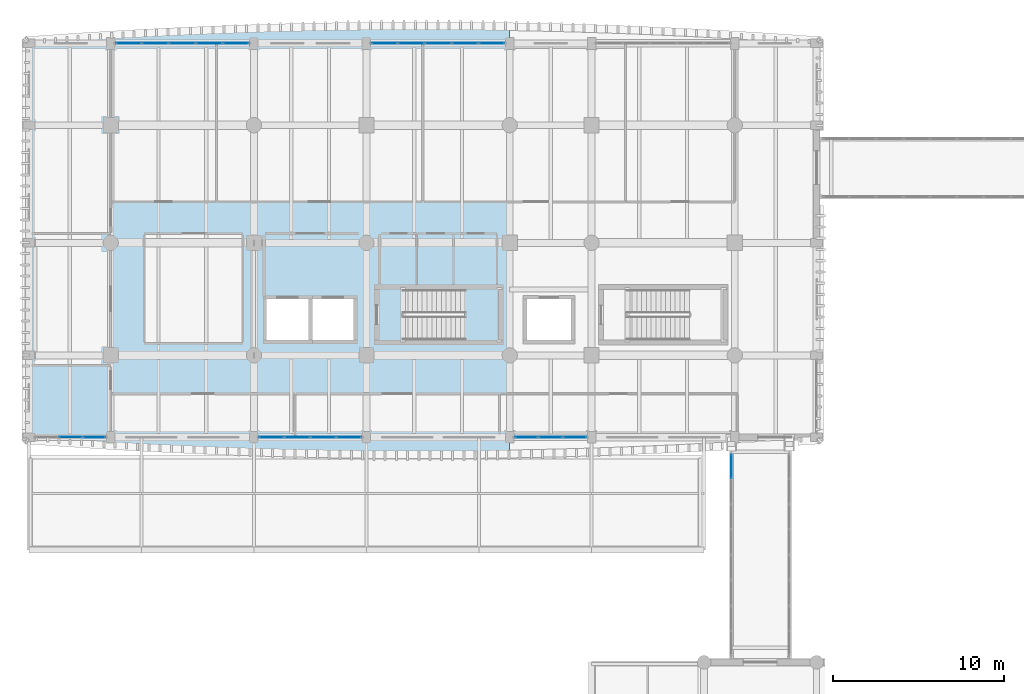
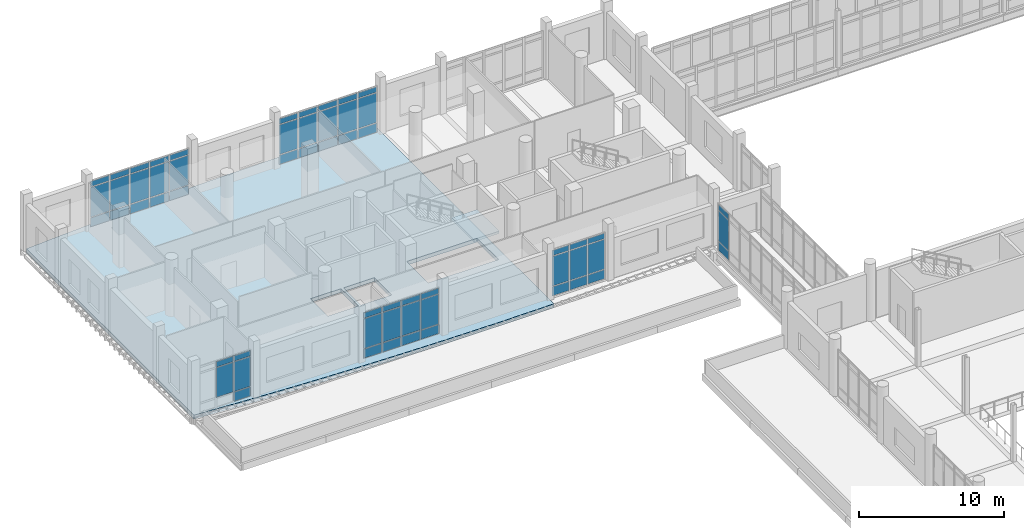
# One storey, part 67 of 125: 59 plates, 2 slabs, 7 elements without a shape of their own.
"""IFC4 building model written with IfcOpenShell, lengths in metres."""

from ifc_helpers import new_model, si_unit, direction, frame, origin, origin_2d, place, context, subcontext, project, spatial, polyline, rectangle, outline, extrude, material, layer, layer_set, type_object, element, aggregate, save


model = new_model("IFC4")

# Units and contexts
model_context = context("Model", 3, precision=1e-05, world=origin(), true_north=direction((0.0, 1.0)))
body_context = subcontext(model_context, "Body", "Model", "MODEL_VIEW")
ifc_project = project(units=[si_unit("LENGTHUNIT", "METRE"), si_unit("AREAUNIT", "SQUARE_METRE"), si_unit("VOLUMEUNIT", "CUBIC_METRE"), si_unit("PLANEANGLEUNIT", "RADIAN"), si_unit("MASSUNIT", "GRAM", prefix="KILO")], contexts=[model_context])

# Site, building, storey
site_placement = place(None, origin())
site = spatial("IfcSite", under=ifc_project, at=site_placement, CompositionType="ELEMENT")
building_placement = place(site_placement, origin())
building = spatial("IfcBuilding", under=site, at=building_placement, Name="Dornvale Research Institute", CompositionType="ELEMENT")
storey_placement = place(building_placement, frame((0.0, 0.0, 5.39990234375)))
storey = spatial("IfcBuildingStorey", under=building, at=storey_placement, Name="L01", CompositionType="ELEMENT", Elevation=5.39990234375)

# Curtain wall, plates
ifc_material_1 = material(Name="Low-E Argon Double Insulating Glazing Unit", Category="glass")
curtain_wall_type_1 = type_object("IfcCurtainWallType", Name="UnitisedCurtainWall_V5_7900x3950", PredefinedType="USERDEFINED", material=ifc_material_1)
curtain_wall_1_placement = place(storey_placement, origin())
curtain_wall_1 = element("IfcCurtainWall", 1, at=curtain_wall_1_placement, inside=storey, type_object=curtain_wall_type_1, Name="L01 V5 unitised curtain wall CW-24 #133", ObjectType="UNITISED CURTAIN WALL", PredefinedType="USERDEFINED")
ifc_material_2 = material(Name="Insulated Ceramic-Frit Spandrel Glass Panel", Category="glass")
ifc_layer_1 = layer(ifc_material_2, 0.0419921875)
ifc_layer_set_1 = layer_set([ifc_layer_1], Name="Insulated Ceramic-Frit Spandrel Glass Panel")
plate_type_1 = type_object("IfcPlateType", Name="CurtainPanel_Spandrel_42", PredefinedType="CURTAIN_PANEL", material=ifc_layer_set_1)
plate_1_placement = place(storey_placement, frame((5.856201171875, 122.10009765625, 0.065185546875), z_axis=(0.0, 0.0, 1.0), x_axis=(1.0, 0.0, 0.0)))
plate_1 = element("IfcPlate", 2, at=plate_1_placement, type_object=plate_type_1, Name="CW-24 panel 1.1", PredefinedType="CURTAIN_PANEL", context=body_context, shape_type="SweptSolid", body=[
    extrude(rectangle(XDim=1.482421875, YDim=0.0419921875, at=origin_2d()), origin(), (0.0, 0.0, 1.0), 0.75244140625),
])
plate_2_placement = place(storey_placement, frame((7.419921875, 122.10009765625, 0.065185546875), z_axis=(0.0, 0.0, 1.0), x_axis=(1.0, 0.0, 0.0)))
plate_2 = element("IfcPlate", 3, at=plate_2_placement, type_object=plate_type_1, Name="CW-24 panel 2.1", PredefinedType="CURTAIN_PANEL", context=body_context, shape_type="SweptSolid", body=[
    extrude(rectangle(XDim=1.514892578125, YDim=0.0419921875, at=origin_2d()), origin(), (0.0, 0.0, 1.0), 0.75244140625),
])
plate_3_placement = place(storey_placement, frame((9.0, 122.10009765625, 0.065185546875), z_axis=(0.0, 0.0, 1.0), x_axis=(1.0, 0.0, 0.0)))
plate_3 = element("IfcPlate", 4, at=plate_3_placement, type_object=plate_type_1, Name="CW-24 panel 3.1", PredefinedType="CURTAIN_PANEL", context=body_context, shape_type="SweptSolid", body=[
    extrude(rectangle(XDim=1.514892578125, YDim=0.0419921875, at=origin_2d()), origin(), (0.0, 0.0, 1.0), 0.75244140625),
])
plate_4_placement = place(storey_placement, frame((10.580078125, 122.10009765625, 0.065185546875), z_axis=(0.0, 0.0, 1.0), x_axis=(1.0, 0.0, 0.0)))
plate_4 = element("IfcPlate", 5, at=plate_4_placement, type_object=plate_type_1, Name="CW-24 panel 4.1", PredefinedType="CURTAIN_PANEL", context=body_context, shape_type="SweptSolid", body=[
    extrude(rectangle(XDim=1.514892578125, YDim=0.0419921875, at=origin_2d()), origin(), (0.0, 0.0, 1.0), 0.75244140625),
])
plate_5_placement = place(storey_placement, frame((12.143798828125, 122.10009765625, 0.065185546875), z_axis=(0.0, 0.0, 1.0), x_axis=(1.0, 0.0, 0.0)))
plate_5 = element("IfcPlate", 6, at=plate_5_placement, type_object=plate_type_1, Name="CW-24 panel 5.1", PredefinedType="CURTAIN_PANEL", context=body_context, shape_type="SweptSolid", body=[
    extrude(rectangle(XDim=1.482421875, YDim=0.0419921875, at=origin_2d()), origin(), (0.0, 0.0, 1.0), 0.75244140625),
])

curtain_wall_2_placement = place(storey_placement, origin())
curtain_wall_2 = element("IfcCurtainWall", 7, at=curtain_wall_2_placement, inside=storey, type_object=curtain_wall_type_1, Name="L01 V5 unitised curtain wall CW-24 #134", ObjectType="UNITISED CURTAIN WALL", PredefinedType="USERDEFINED")
plate_6_placement = place(storey_placement, frame((20.856201171875, 122.10009765625, 0.065185546875), z_axis=(0.0, 0.0, 1.0), x_axis=(1.0, 0.0, 0.0)))
plate_6 = element("IfcPlate", 8, at=plate_6_placement, type_object=plate_type_1, Name="CW-24 panel 1.1", PredefinedType="CURTAIN_PANEL", context=body_context, shape_type="SweptSolid", body=[
    extrude(rectangle(XDim=1.482421875, YDim=0.0419921875, at=origin_2d()), origin(), (0.0, 0.0, 1.0), 0.75244140625),
])
plate_7_placement = place(storey_placement, frame((22.419921875, 122.10009765625, 0.065185546875), z_axis=(0.0, 0.0, 1.0), x_axis=(1.0, 0.0, 0.0)))
plate_7 = element("IfcPlate", 9, at=plate_7_placement, type_object=plate_type_1, Name="CW-24 panel 2.1", PredefinedType="CURTAIN_PANEL", context=body_context, shape_type="SweptSolid", body=[
    extrude(rectangle(XDim=1.514892578125, YDim=0.0419921875, at=origin_2d()), origin(), (0.0, 0.0, 1.0), 0.75244140625),
])
plate_8_placement = place(storey_placement, frame((24.0, 122.10009765625, 0.065185546875), z_axis=(0.0, 0.0, 1.0), x_axis=(1.0, 0.0, 0.0)))
plate_8 = element("IfcPlate", 10, at=plate_8_placement, type_object=plate_type_1, Name="CW-24 panel 3.1", PredefinedType="CURTAIN_PANEL", context=body_context, shape_type="SweptSolid", body=[
    extrude(rectangle(XDim=1.514892578125, YDim=0.0419921875, at=origin_2d()), origin(), (0.0, 0.0, 1.0), 0.75244140625),
])
plate_9_placement = place(storey_placement, frame((25.580078125, 122.10009765625, 0.065185546875), z_axis=(0.0, 0.0, 1.0), x_axis=(1.0, 0.0, 0.0)))
plate_9 = element("IfcPlate", 11, at=plate_9_placement, type_object=plate_type_1, Name="CW-24 panel 4.1", PredefinedType="CURTAIN_PANEL", context=body_context, shape_type="SweptSolid", body=[
    extrude(rectangle(XDim=1.514892578125, YDim=0.0419921875, at=origin_2d()), origin(), (0.0, 0.0, 1.0), 0.75244140625),
])
plate_10_placement = place(storey_placement, frame((27.143798828125, 122.10009765625, 0.065185546875), z_axis=(0.0, 0.0, 1.0), x_axis=(1.0, 0.0, 0.0)))
plate_10 = element("IfcPlate", 12, at=plate_10_placement, type_object=plate_type_1, Name="CW-24 panel 5.1", PredefinedType="CURTAIN_PANEL", context=body_context, shape_type="SweptSolid", body=[
    extrude(rectangle(XDim=1.482421875, YDim=0.0419921875, at=origin_2d()), origin(), (0.0, 0.0, 1.0), 0.75244140625),
])

ifc_material_3 = material(Name="Low-E Argon Double Insulating Glazing Unit", Category="glass")
curtain_wall_type_2 = type_object("IfcCurtainWallType", Name="UnitisedCurtainWall_V5_4300x3950", PredefinedType="USERDEFINED", material=ifc_material_3)
curtain_wall_3_placement = place(storey_placement, origin())
curtain_wall_3 = element("IfcCurtainWall", 13, at=curtain_wall_3_placement, inside=storey, type_object=curtain_wall_type_2, Name="L01 V5 unitised curtain wall CW-25 #137", ObjectType="UNITISED CURTAIN WALL", PredefinedType="USERDEFINED")
plate_11_placement = place(storey_placement, frame((32.01708984375, 99.0, 0.065185546875), z_axis=(0.0, 0.0, 1.0), x_axis=(-1.0, 0.0, 0.0)))
plate_11 = element("IfcPlate", 14, at=plate_11_placement, type_object=plate_type_1, Name="CW-25 panel 1.1", PredefinedType="CURTAIN_PANEL", context=body_context, shape_type="SweptSolid", body=[
    extrude(rectangle(XDim=1.3359375, YDim=0.0419921875, at=origin_2d()), origin(), (0.0, 0.0, 1.0), 0.75244140625),
])
plate_12_placement = place(storey_placement, frame((30.60009765625, 99.0, 0.065185546875), z_axis=(0.0, 0.0, 1.0), x_axis=(-1.0, 0.0, 0.0)))
plate_12 = element("IfcPlate", 15, at=plate_12_placement, type_object=plate_type_1, Name="CW-25 panel 2.1", PredefinedType="CURTAIN_PANEL", context=body_context, shape_type="SweptSolid", body=[
    extrude(rectangle(XDim=1.368408203125, YDim=0.0419921875, at=origin_2d()), origin(), (0.0, 0.0, 1.0), 0.75244140625),
])
plate_13_placement = place(storey_placement, frame((29.182861328125, 99.0, 0.065185546875), z_axis=(0.0, 0.0, 1.0), x_axis=(-1.0, 0.0, 0.0)))
plate_13 = element("IfcPlate", 16, at=plate_13_placement, type_object=plate_type_1, Name="CW-25 panel 3.1", PredefinedType="CURTAIN_PANEL", context=body_context, shape_type="SweptSolid", body=[
    extrude(rectangle(XDim=1.3359375, YDim=0.0419921875, at=origin_2d()), origin(), (0.0, 0.0, 1.0), 0.75244140625),
])

ifc_material_4 = material(Name="Low-E Argon Double Insulating Glazing Unit", Category="glass")
curtain_wall_type_3 = type_object("IfcCurtainWallType", Name="UnitisedCurtainWall_V5_6100x3950", PredefinedType="USERDEFINED", material=ifc_material_4)
curtain_wall_4_placement = place(storey_placement, origin())
curtain_wall_4 = element("IfcCurtainWall", 17, at=curtain_wall_4_placement, inside=storey, type_object=curtain_wall_type_3, Name="L01 V5 unitised curtain wall CW-26 #138", ObjectType="UNITISED CURTAIN WALL", PredefinedType="USERDEFINED")
plate_14_placement = place(storey_placement, frame((18.771240234375, 99.0, 0.065185546875), z_axis=(0.0, 0.0, 1.0), x_axis=(-1.0, 0.0, 0.0)))
plate_14 = element("IfcPlate", 18, at=plate_14_placement, type_object=plate_type_1, Name="CW-26 panel 1.1", PredefinedType="CURTAIN_PANEL", context=body_context, shape_type="SweptSolid", body=[
    extrude(rectangle(XDim=1.427490234375, YDim=0.0419921875, at=origin_2d()), origin(), (0.0, 0.0, 1.0), 0.75244140625),
])
plate_15_placement = place(storey_placement, frame((17.262451171875, 99.0, 0.065185546875), z_axis=(0.0, 0.0, 1.0), x_axis=(-1.0, 0.0, 0.0)))
plate_15 = element("IfcPlate", 19, at=plate_15_placement, type_object=plate_type_1, Name="CW-26 panel 2.1", PredefinedType="CURTAIN_PANEL", context=body_context, shape_type="SweptSolid", body=[
    extrude(rectangle(XDim=1.4599609375, YDim=0.0419921875, at=origin_2d()), origin(), (0.0, 0.0, 1.0), 0.75244140625),
])
plate_16_placement = place(storey_placement, frame((15.737548828125, 99.0, 0.065185546875), z_axis=(0.0, 0.0, 1.0), x_axis=(-1.0, 0.0, 0.0)))
plate_16 = element("IfcPlate", 20, at=plate_16_placement, type_object=plate_type_1, Name="CW-26 panel 3.1", PredefinedType="CURTAIN_PANEL", context=body_context, shape_type="SweptSolid", body=[
    extrude(rectangle(XDim=1.4599609375, YDim=0.0419921875, at=origin_2d()), origin(), (0.0, 0.0, 1.0), 0.75244140625),
])
plate_17_placement = place(storey_placement, frame((14.228759765625, 99.0, 0.065185546875), z_axis=(0.0, 0.0, 1.0), x_axis=(-1.0, 0.0, 0.0)))
plate_17 = element("IfcPlate", 21, at=plate_17_placement, type_object=plate_type_1, Name="CW-26 panel 4.1", PredefinedType="CURTAIN_PANEL", context=body_context, shape_type="SweptSolid", body=[
    extrude(rectangle(XDim=1.427490234375, YDim=0.0419921875, at=origin_2d()), origin(), (0.0, 0.0, 1.0), 0.75244140625),
])

# Curtain wall, plate
ifc_material_5 = material(Name="Low-E Argon Double Insulating Glazing Unit", Category="glass")
curtain_wall_type_4 = type_object("IfcCurtainWallType", Name="UnitisedCurtainWall_V5_4200x3950", PredefinedType="USERDEFINED", material=ifc_material_5)
curtain_wall_5_placement = place(storey_placement, origin())
curtain_wall_5 = element("IfcCurtainWall", 22, at=curtain_wall_5_placement, inside=storey, type_object=curtain_wall_type_4, Name="L01 V5 unitised curtain wall CW-27 #139", ObjectType="UNITISED CURTAIN WALL", PredefinedType="USERDEFINED")
plate_18_placement = place(storey_placement, frame((3.833740234375, 99.0, 0.065185546875), z_axis=(0.0, 0.0, 1.0), x_axis=(-1.0, 0.0, 0.0)))
plate_18 = element("IfcPlate", 23, at=plate_18_placement, type_object=plate_type_1, Name="CW-27 panel 1.1", PredefinedType="CURTAIN_PANEL", context=body_context, shape_type="SweptSolid", body=[
    extrude(rectangle(XDim=1.302490234375, YDim=0.0419921875, at=origin_2d()), origin(), (0.0, 0.0, 1.0), 0.75244140625),
])

ifc_material_6 = material(Name="Low-E Argon Double Insulating Glazing Unit", Category="glass")
curtain_wall_type_5 = type_object("IfcCurtainWallType", Name="UnitisedCurtainWall_V2_11900x4000", PredefinedType="USERDEFINED", material=ifc_material_6)
curtain_wall_6_placement = place(storey_placement, origin())
curtain_wall_6 = element("IfcCurtainWall", 24, at=curtain_wall_6_placement, inside=storey, type_object=curtain_wall_type_5, Name="L01 V2 unitised curtain wall CW-40 #207", ObjectType="UNITISED CURTAIN WALL", PredefinedType="USERDEFINED")
plate_19_placement = place(storey_placement, frame((41.199951171875, 97.2900390625, 0.065185546875), z_axis=(0.0, 0.0, 1.0), x_axis=(0.0, 1.0, 0.0)))
plate_19 = element("IfcPlate", 25, at=plate_19_placement, type_object=plate_type_1, Name="CW-40 panel 8.1", PredefinedType="CURTAIN_PANEL", context=body_context, shape_type="SweptSolid", body=[
    extrude(rectangle(XDim=1.389892578125, YDim=0.0419921875, at=origin_2d()), origin(), (0.0, 0.0, 1.0), 0.75244140625),
])

# Plate
ifc_material_7 = material(Name="Low-E Argon Double Insulating Glazing Unit", Category="glass")
ifc_layer_2 = layer(ifc_material_7, 0.028076171875)
ifc_layer_set_2 = layer_set([ifc_layer_2], Name="Low-E Argon Double Insulating Glazing Unit")
plate_type_2 = type_object("IfcPlateType", Name="CurtainPanel_Vision_28", PredefinedType="CURTAIN_PANEL", material=ifc_layer_set_2)
plate_20_placement = place(storey_placement, frame((5.856201171875, 122.10009765625, 0.88232421875), z_axis=(0.0, 0.0, 1.0), x_axis=(1.0, 0.0, 0.0)))
plate_20 = element("IfcPlate", 26, at=plate_20_placement, type_object=plate_type_2, Name="CW-24 panel 1.2", PredefinedType="CURTAIN_PANEL", context=body_context, shape_type="SweptSolid", body=[
    extrude(rectangle(XDim=1.482421875, YDim=0.028076171875, at=origin_2d()), origin(), (0.0, 0.0, 1.0), 2.485107421875),
])

plate_21_placement = place(storey_placement, frame((5.856201171875, 122.10009765625, 3.4326171875), z_axis=(0.0, 0.0, 1.0), x_axis=(1.0, 0.0, 0.0)))
plate_21 = element("IfcPlate", 27, at=plate_21_placement, type_object=plate_type_2, Name="CW-24 panel 1.3", PredefinedType="CURTAIN_PANEL", context=body_context, shape_type="SweptSolid", body=[
    extrude(rectangle(XDim=1.482421875, YDim=0.028076171875, at=origin_2d()), origin(), (0.0, 0.0, 1.0), 0.452392578125),
])

plate_22_placement = place(storey_placement, frame((7.419921875, 122.10009765625, 0.88232421875), z_axis=(0.0, 0.0, 1.0), x_axis=(1.0, 0.0, 0.0)))
plate_22 = element("IfcPlate", 28, at=plate_22_placement, type_object=plate_type_2, Name="CW-24 panel 2.2", PredefinedType="CURTAIN_PANEL", context=body_context, shape_type="SweptSolid", body=[
    extrude(rectangle(XDim=1.514892578125, YDim=0.028076171875, at=origin_2d()), origin(), (0.0, 0.0, 1.0), 2.485107421875),
])

plate_23_placement = place(storey_placement, frame((7.419921875, 122.10009765625, 3.4326171875), z_axis=(0.0, 0.0, 1.0), x_axis=(1.0, 0.0, 0.0)))
plate_23 = element("IfcPlate", 29, at=plate_23_placement, type_object=plate_type_2, Name="CW-24 panel 2.3", PredefinedType="CURTAIN_PANEL", context=body_context, shape_type="SweptSolid", body=[
    extrude(rectangle(XDim=1.514892578125, YDim=0.028076171875, at=origin_2d()), origin(), (0.0, 0.0, 1.0), 0.452392578125),
])

plate_24_placement = place(storey_placement, frame((9.0, 122.10009765625, 0.88232421875), z_axis=(0.0, 0.0, 1.0), x_axis=(1.0, 0.0, 0.0)))
plate_24 = element("IfcPlate", 30, at=plate_24_placement, type_object=plate_type_2, Name="CW-24 panel 3.2", PredefinedType="CURTAIN_PANEL", context=body_context, shape_type="SweptSolid", body=[
    extrude(rectangle(XDim=1.514892578125, YDim=0.028076171875, at=origin_2d()), origin(), (0.0, 0.0, 1.0), 2.485107421875),
])

plate_25_placement = place(storey_placement, frame((9.0, 122.10009765625, 3.4326171875), z_axis=(0.0, 0.0, 1.0), x_axis=(1.0, 0.0, 0.0)))
plate_25 = element("IfcPlate", 31, at=plate_25_placement, type_object=plate_type_2, Name="CW-24 panel 3.3", PredefinedType="CURTAIN_PANEL", context=body_context, shape_type="SweptSolid", body=[
    extrude(rectangle(XDim=1.514892578125, YDim=0.028076171875, at=origin_2d()), origin(), (0.0, 0.0, 1.0), 0.452392578125),
])

plate_26_placement = place(storey_placement, frame((10.580078125, 122.10009765625, 0.88232421875), z_axis=(0.0, 0.0, 1.0), x_axis=(1.0, 0.0, 0.0)))
plate_26 = element("IfcPlate", 32, at=plate_26_placement, type_object=plate_type_2, Name="CW-24 panel 4.2", PredefinedType="CURTAIN_PANEL", context=body_context, shape_type="SweptSolid", body=[
    extrude(rectangle(XDim=1.514892578125, YDim=0.028076171875, at=origin_2d()), origin(), (0.0, 0.0, 1.0), 2.485107421875),
])

plate_27_placement = place(storey_placement, frame((10.580078125, 122.10009765625, 3.4326171875), z_axis=(0.0, 0.0, 1.0), x_axis=(1.0, 0.0, 0.0)))
plate_27 = element("IfcPlate", 33, at=plate_27_placement, type_object=plate_type_2, Name="CW-24 panel 4.3", PredefinedType="CURTAIN_PANEL", context=body_context, shape_type="SweptSolid", body=[
    extrude(rectangle(XDim=1.514892578125, YDim=0.028076171875, at=origin_2d()), origin(), (0.0, 0.0, 1.0), 0.452392578125),
])

plate_28_placement = place(storey_placement, frame((12.143798828125, 122.10009765625, 0.88232421875), z_axis=(0.0, 0.0, 1.0), x_axis=(1.0, 0.0, 0.0)))
plate_28 = element("IfcPlate", 34, at=plate_28_placement, type_object=plate_type_2, Name="CW-24 panel 5.2", PredefinedType="CURTAIN_PANEL", context=body_context, shape_type="SweptSolid", body=[
    extrude(rectangle(XDim=1.482421875, YDim=0.028076171875, at=origin_2d()), origin(), (0.0, 0.0, 1.0), 2.485107421875),
])

plate_29_placement = place(storey_placement, frame((12.143798828125, 122.10009765625, 3.4326171875), z_axis=(0.0, 0.0, 1.0), x_axis=(1.0, 0.0, 0.0)))
plate_29 = element("IfcPlate", 35, at=plate_29_placement, type_object=plate_type_2, Name="CW-24 panel 5.3", PredefinedType="CURTAIN_PANEL", context=body_context, shape_type="SweptSolid", body=[
    extrude(rectangle(XDim=1.482421875, YDim=0.028076171875, at=origin_2d()), origin(), (0.0, 0.0, 1.0), 0.452392578125),
])

aggregate(curtain_wall_1, [plate_1, plate_20, plate_21, plate_2, plate_22, plate_23, plate_3, plate_24, plate_25, plate_4, plate_26, plate_27, plate_5, plate_28, plate_29])

plate_30_placement = place(storey_placement, frame((20.856201171875, 122.10009765625, 0.88232421875), z_axis=(0.0, 0.0, 1.0), x_axis=(1.0, 0.0, 0.0)))
plate_30 = element("IfcPlate", 36, at=plate_30_placement, type_object=plate_type_2, Name="CW-24 panel 1.2", PredefinedType="CURTAIN_PANEL", context=body_context, shape_type="SweptSolid", body=[
    extrude(rectangle(XDim=1.482421875, YDim=0.028076171875, at=origin_2d()), origin(), (0.0, 0.0, 1.0), 2.485107421875),
])

plate_31_placement = place(storey_placement, frame((20.856201171875, 122.10009765625, 3.4326171875), z_axis=(0.0, 0.0, 1.0), x_axis=(1.0, 0.0, 0.0)))
plate_31 = element("IfcPlate", 37, at=plate_31_placement, type_object=plate_type_2, Name="CW-24 panel 1.3", PredefinedType="CURTAIN_PANEL", context=body_context, shape_type="SweptSolid", body=[
    extrude(rectangle(XDim=1.482421875, YDim=0.028076171875, at=origin_2d()), origin(), (0.0, 0.0, 1.0), 0.452392578125),
])

plate_32_placement = place(storey_placement, frame((22.419921875, 122.10009765625, 0.88232421875), z_axis=(0.0, 0.0, 1.0), x_axis=(1.0, 0.0, 0.0)))
plate_32 = element("IfcPlate", 38, at=plate_32_placement, type_object=plate_type_2, Name="CW-24 panel 2.2", PredefinedType="CURTAIN_PANEL", context=body_context, shape_type="SweptSolid", body=[
    extrude(rectangle(XDim=1.514892578125, YDim=0.028076171875, at=origin_2d()), origin(), (0.0, 0.0, 1.0), 2.485107421875),
])

plate_33_placement = place(storey_placement, frame((22.419921875, 122.10009765625, 3.4326171875), z_axis=(0.0, 0.0, 1.0), x_axis=(1.0, 0.0, 0.0)))
plate_33 = element("IfcPlate", 39, at=plate_33_placement, type_object=plate_type_2, Name="CW-24 panel 2.3", PredefinedType="CURTAIN_PANEL", context=body_context, shape_type="SweptSolid", body=[
    extrude(rectangle(XDim=1.514892578125, YDim=0.028076171875, at=origin_2d()), origin(), (0.0, 0.0, 1.0), 0.452392578125),
])

plate_34_placement = place(storey_placement, frame((24.0, 122.10009765625, 0.88232421875), z_axis=(0.0, 0.0, 1.0), x_axis=(1.0, 0.0, 0.0)))
plate_34 = element("IfcPlate", 40, at=plate_34_placement, type_object=plate_type_2, Name="CW-24 panel 3.2", PredefinedType="CURTAIN_PANEL", context=body_context, shape_type="SweptSolid", body=[
    extrude(rectangle(XDim=1.514892578125, YDim=0.028076171875, at=origin_2d()), origin(), (0.0, 0.0, 1.0), 2.485107421875),
])

plate_35_placement = place(storey_placement, frame((24.0, 122.10009765625, 3.4326171875), z_axis=(0.0, 0.0, 1.0), x_axis=(1.0, 0.0, 0.0)))
plate_35 = element("IfcPlate", 41, at=plate_35_placement, type_object=plate_type_2, Name="CW-24 panel 3.3", PredefinedType="CURTAIN_PANEL", context=body_context, shape_type="SweptSolid", body=[
    extrude(rectangle(XDim=1.514892578125, YDim=0.028076171875, at=origin_2d()), origin(), (0.0, 0.0, 1.0), 0.452392578125),
])

plate_36_placement = place(storey_placement, frame((25.580078125, 122.10009765625, 0.88232421875), z_axis=(0.0, 0.0, 1.0), x_axis=(1.0, 0.0, 0.0)))
plate_36 = element("IfcPlate", 42, at=plate_36_placement, type_object=plate_type_2, Name="CW-24 panel 4.2", PredefinedType="CURTAIN_PANEL", context=body_context, shape_type="SweptSolid", body=[
    extrude(rectangle(XDim=1.514892578125, YDim=0.028076171875, at=origin_2d()), origin(), (0.0, 0.0, 1.0), 2.485107421875),
])

plate_37_placement = place(storey_placement, frame((25.580078125, 122.10009765625, 3.4326171875), z_axis=(0.0, 0.0, 1.0), x_axis=(1.0, 0.0, 0.0)))
plate_37 = element("IfcPlate", 43, at=plate_37_placement, type_object=plate_type_2, Name="CW-24 panel 4.3", PredefinedType="CURTAIN_PANEL", context=body_context, shape_type="SweptSolid", body=[
    extrude(rectangle(XDim=1.514892578125, YDim=0.028076171875, at=origin_2d()), origin(), (0.0, 0.0, 1.0), 0.452392578125),
])

plate_38_placement = place(storey_placement, frame((27.143798828125, 122.10009765625, 0.88232421875), z_axis=(0.0, 0.0, 1.0), x_axis=(1.0, 0.0, 0.0)))
plate_38 = element("IfcPlate", 44, at=plate_38_placement, type_object=plate_type_2, Name="CW-24 panel 5.2", PredefinedType="CURTAIN_PANEL", context=body_context, shape_type="SweptSolid", body=[
    extrude(rectangle(XDim=1.482421875, YDim=0.028076171875, at=origin_2d()), origin(), (0.0, 0.0, 1.0), 2.485107421875),
])

plate_39_placement = place(storey_placement, frame((27.143798828125, 122.10009765625, 3.4326171875), z_axis=(0.0, 0.0, 1.0), x_axis=(1.0, 0.0, 0.0)))
plate_39 = element("IfcPlate", 45, at=plate_39_placement, type_object=plate_type_2, Name="CW-24 panel 5.3", PredefinedType="CURTAIN_PANEL", context=body_context, shape_type="SweptSolid", body=[
    extrude(rectangle(XDim=1.482421875, YDim=0.028076171875, at=origin_2d()), origin(), (0.0, 0.0, 1.0), 0.452392578125),
])

aggregate(curtain_wall_2, [plate_6, plate_30, plate_31, plate_7, plate_32, plate_33, plate_8, plate_34, plate_35, plate_9, plate_36, plate_37, plate_10, plate_38, plate_39])

plate_40_placement = place(storey_placement, frame((32.01708984375, 99.0, 0.88232421875), z_axis=(0.0, 0.0, 1.0), x_axis=(-1.0, 0.0, 0.0)))
plate_40 = element("IfcPlate", 46, at=plate_40_placement, type_object=plate_type_2, Name="CW-25 panel 1.2", PredefinedType="CURTAIN_PANEL", context=body_context, shape_type="SweptSolid", body=[
    extrude(rectangle(XDim=1.3359375, YDim=0.028076171875, at=origin_2d()), origin(), (0.0, 0.0, 1.0), 2.485107421875),
])

plate_41_placement = place(storey_placement, frame((32.01708984375, 99.0, 3.4326171875), z_axis=(0.0, 0.0, 1.0), x_axis=(-1.0, 0.0, 0.0)))
plate_41 = element("IfcPlate", 47, at=plate_41_placement, type_object=plate_type_2, Name="CW-25 panel 1.3", PredefinedType="CURTAIN_PANEL", context=body_context, shape_type="SweptSolid", body=[
    extrude(rectangle(XDim=1.3359375, YDim=0.028076171875, at=origin_2d()), origin(), (0.0, 0.0, 1.0), 0.452392578125),
])

plate_42_placement = place(storey_placement, frame((30.60009765625, 99.0, 0.88232421875), z_axis=(0.0, 0.0, 1.0), x_axis=(-1.0, 0.0, 0.0)))
plate_42 = element("IfcPlate", 48, at=plate_42_placement, type_object=plate_type_2, Name="CW-25 panel 2.2", PredefinedType="CURTAIN_PANEL", context=body_context, shape_type="SweptSolid", body=[
    extrude(rectangle(XDim=1.368408203125, YDim=0.028076171875, at=origin_2d()), origin(), (0.0, 0.0, 1.0), 2.485107421875),
])

plate_43_placement = place(storey_placement, frame((30.60009765625, 99.0, 3.4326171875), z_axis=(0.0, 0.0, 1.0), x_axis=(-1.0, 0.0, 0.0)))
plate_43 = element("IfcPlate", 49, at=plate_43_placement, type_object=plate_type_2, Name="CW-25 panel 2.3", PredefinedType="CURTAIN_PANEL", context=body_context, shape_type="SweptSolid", body=[
    extrude(rectangle(XDim=1.368408203125, YDim=0.028076171875, at=origin_2d()), origin(), (0.0, 0.0, 1.0), 0.452392578125),
])

plate_44_placement = place(storey_placement, frame((29.182861328125, 99.0, 0.88232421875), z_axis=(0.0, 0.0, 1.0), x_axis=(-1.0, 0.0, 0.0)))
plate_44 = element("IfcPlate", 50, at=plate_44_placement, type_object=plate_type_2, Name="CW-25 panel 3.2", PredefinedType="CURTAIN_PANEL", context=body_context, shape_type="SweptSolid", body=[
    extrude(rectangle(XDim=1.3359375, YDim=0.028076171875, at=origin_2d()), origin(), (0.0, 0.0, 1.0), 2.485107421875),
])

plate_45_placement = place(storey_placement, frame((29.182861328125, 99.0, 3.4326171875), z_axis=(0.0, 0.0, 1.0), x_axis=(-1.0, 0.0, 0.0)))
plate_45 = element("IfcPlate", 51, at=plate_45_placement, type_object=plate_type_2, Name="CW-25 panel 3.3", PredefinedType="CURTAIN_PANEL", context=body_context, shape_type="SweptSolid", body=[
    extrude(rectangle(XDim=1.3359375, YDim=0.028076171875, at=origin_2d()), origin(), (0.0, 0.0, 1.0), 0.452392578125),
])

aggregate(curtain_wall_3, [plate_11, plate_40, plate_41, plate_12, plate_42, plate_43, plate_13, plate_44, plate_45])

plate_46_placement = place(storey_placement, frame((18.771240234375, 99.0, 0.88232421875), z_axis=(0.0, 0.0, 1.0), x_axis=(-1.0, 0.0, 0.0)))
plate_46 = element("IfcPlate", 52, at=plate_46_placement, type_object=plate_type_2, Name="CW-26 panel 1.2", PredefinedType="CURTAIN_PANEL", context=body_context, shape_type="SweptSolid", body=[
    extrude(rectangle(XDim=1.427490234375, YDim=0.028076171875, at=origin_2d()), origin(), (0.0, 0.0, 1.0), 2.485107421875),
])

plate_47_placement = place(storey_placement, frame((18.771240234375, 99.0, 3.4326171875), z_axis=(0.0, 0.0, 1.0), x_axis=(-1.0, 0.0, 0.0)))
plate_47 = element("IfcPlate", 53, at=plate_47_placement, type_object=plate_type_2, Name="CW-26 panel 1.3", PredefinedType="CURTAIN_PANEL", context=body_context, shape_type="SweptSolid", body=[
    extrude(rectangle(XDim=1.427490234375, YDim=0.028076171875, at=origin_2d()), origin(), (0.0, 0.0, 1.0), 0.452392578125),
])

plate_48_placement = place(storey_placement, frame((17.262451171875, 99.0, 0.88232421875), z_axis=(0.0, 0.0, 1.0), x_axis=(-1.0, 0.0, 0.0)))
plate_48 = element("IfcPlate", 54, at=plate_48_placement, type_object=plate_type_2, Name="CW-26 panel 2.2", PredefinedType="CURTAIN_PANEL", context=body_context, shape_type="SweptSolid", body=[
    extrude(rectangle(XDim=1.4599609375, YDim=0.028076171875, at=origin_2d()), origin(), (0.0, 0.0, 1.0), 2.485107421875),
])

plate_49_placement = place(storey_placement, frame((17.262451171875, 99.0, 3.4326171875), z_axis=(0.0, 0.0, 1.0), x_axis=(-1.0, 0.0, 0.0)))
plate_49 = element("IfcPlate", 55, at=plate_49_placement, type_object=plate_type_2, Name="CW-26 panel 2.3", PredefinedType="CURTAIN_PANEL", context=body_context, shape_type="SweptSolid", body=[
    extrude(rectangle(XDim=1.4599609375, YDim=0.028076171875, at=origin_2d()), origin(), (0.0, 0.0, 1.0), 0.452392578125),
])

plate_50_placement = place(storey_placement, frame((15.737548828125, 99.0, 0.88232421875), z_axis=(0.0, 0.0, 1.0), x_axis=(-1.0, 0.0, 0.0)))
plate_50 = element("IfcPlate", 56, at=plate_50_placement, type_object=plate_type_2, Name="CW-26 panel 3.2", PredefinedType="CURTAIN_PANEL", context=body_context, shape_type="SweptSolid", body=[
    extrude(rectangle(XDim=1.4599609375, YDim=0.028076171875, at=origin_2d()), origin(), (0.0, 0.0, 1.0), 2.485107421875),
])

plate_51_placement = place(storey_placement, frame((15.737548828125, 99.0, 3.4326171875), z_axis=(0.0, 0.0, 1.0), x_axis=(-1.0, 0.0, 0.0)))
plate_51 = element("IfcPlate", 57, at=plate_51_placement, type_object=plate_type_2, Name="CW-26 panel 3.3", PredefinedType="CURTAIN_PANEL", context=body_context, shape_type="SweptSolid", body=[
    extrude(rectangle(XDim=1.4599609375, YDim=0.028076171875, at=origin_2d()), origin(), (0.0, 0.0, 1.0), 0.452392578125),
])

plate_52_placement = place(storey_placement, frame((14.228759765625, 99.0, 0.88232421875), z_axis=(0.0, 0.0, 1.0), x_axis=(-1.0, 0.0, 0.0)))
plate_52 = element("IfcPlate", 58, at=plate_52_placement, type_object=plate_type_2, Name="CW-26 panel 4.2", PredefinedType="CURTAIN_PANEL", context=body_context, shape_type="SweptSolid", body=[
    extrude(rectangle(XDim=1.427490234375, YDim=0.028076171875, at=origin_2d()), origin(), (0.0, 0.0, 1.0), 2.485107421875),
])

plate_53_placement = place(storey_placement, frame((14.228759765625, 99.0, 3.4326171875), z_axis=(0.0, 0.0, 1.0), x_axis=(-1.0, 0.0, 0.0)))
plate_53 = element("IfcPlate", 59, at=plate_53_placement, type_object=plate_type_2, Name="CW-26 panel 4.3", PredefinedType="CURTAIN_PANEL", context=body_context, shape_type="SweptSolid", body=[
    extrude(rectangle(XDim=1.427490234375, YDim=0.028076171875, at=origin_2d()), origin(), (0.0, 0.0, 1.0), 0.452392578125),
])

aggregate(curtain_wall_4, [plate_14, plate_46, plate_47, plate_15, plate_48, plate_49, plate_16, plate_50, plate_51, plate_17, plate_52, plate_53])

plate_54_placement = place(storey_placement, frame((3.833740234375, 99.0, 0.88232421875), z_axis=(0.0, 0.0, 1.0), x_axis=(-1.0, 0.0, 0.0)))
plate_54 = element("IfcPlate", 60, at=plate_54_placement, type_object=plate_type_2, Name="CW-27 panel 1.2", PredefinedType="CURTAIN_PANEL", context=body_context, shape_type="SweptSolid", body=[
    extrude(rectangle(XDim=1.302490234375, YDim=0.028076171875, at=origin_2d()), origin(), (0.0, 0.0, 1.0), 2.485107421875),
])

plate_55_placement = place(storey_placement, frame((3.833740234375, 99.0, 3.4326171875), z_axis=(0.0, 0.0, 1.0), x_axis=(-1.0, 0.0, 0.0)))
plate_55 = element("IfcPlate", 61, at=plate_55_placement, type_object=plate_type_2, Name="CW-27 panel 1.3", PredefinedType="CURTAIN_PANEL", context=body_context, shape_type="SweptSolid", body=[
    extrude(rectangle(XDim=1.302490234375, YDim=0.028076171875, at=origin_2d()), origin(), (0.0, 0.0, 1.0), 0.452392578125),
])

plate_56_placement = place(storey_placement, frame((2.449951171875, 99.0, 0.88232421875), z_axis=(0.0, 0.0, 1.0), x_axis=(-1.0, 0.0, 0.0)))
plate_56 = element("IfcPlate", 62, at=plate_56_placement, type_object=plate_type_2, Name="CW-27 panel 2.2", PredefinedType="CURTAIN_PANEL", context=body_context, shape_type="SweptSolid", body=[
    extrude(rectangle(XDim=1.3349609375, YDim=0.028076171875, at=origin_2d()), origin(), (0.0, 0.0, 1.0), 2.485107421875),
])

plate_57_placement = place(storey_placement, frame((2.449951171875, 99.0, 3.4326171875), z_axis=(0.0, 0.0, 1.0), x_axis=(-1.0, 0.0, 0.0)))
plate_57 = element("IfcPlate", 63, at=plate_57_placement, type_object=plate_type_2, Name="CW-27 panel 2.3", PredefinedType="CURTAIN_PANEL", context=body_context, shape_type="SweptSolid", body=[
    extrude(rectangle(XDim=1.3349609375, YDim=0.028076171875, at=origin_2d()), origin(), (0.0, 0.0, 1.0), 0.452392578125),
])

aggregate(curtain_wall_5, [plate_18, plate_54, plate_55, plate_56, plate_57])

plate_58_placement = place(storey_placement, frame((41.199951171875, 97.2900390625, 0.8828125), z_axis=(0.0, 0.0, 1.0), x_axis=(0.0, 1.0, 0.0)))
plate_58 = element("IfcPlate", 64, at=plate_58_placement, type_object=plate_type_2, Name="CW-40 panel 8.2", PredefinedType="CURTAIN_PANEL", context=body_context, shape_type="SweptSolid", body=[
    extrude(rectangle(XDim=1.389892578125, YDim=0.028076171875, at=origin_2d()), origin(), (0.0, 0.0, 1.0), 2.534912109375),
])

plate_59_placement = place(storey_placement, frame((41.199951171875, 97.2900390625, 3.482421875), z_axis=(0.0, 0.0, 1.0), x_axis=(0.0, 1.0, 0.0)))
plate_59 = element("IfcPlate", 65, at=plate_59_placement, type_object=plate_type_2, Name="CW-40 panel 8.3", PredefinedType="CURTAIN_PANEL", context=body_context, shape_type="SweptSolid", body=[
    extrude(rectangle(XDim=1.389892578125, YDim=0.028076171875, at=origin_2d()), origin(), (0.0, 0.0, 1.0), 0.452392578125),
])

aggregate(curtain_wall_6, [plate_19, plate_58, plate_59])

# Slab
ifc_material_8 = material(Name="Concrete f'c 45 MPa (C35/45)", Category="concrete")
ifc_layer_3 = layer(ifc_material_8, 0.320068359375)
ifc_layer_set_3 = layer_set([ifc_layer_3], Name="Concrete f'c 45 MPa (C35/45)")
slab_type_1 = type_object("IfcSlabType", Name="FloorSlab_Lab_320", PredefinedType="FLOOR", material=ifc_layer_set_3)
slab_1_placement = place(storey_placement, frame((0.0, 0.0, -0.31982421875)))
element("IfcSlab", 66, at=slab_1_placement, inside=storey, type_object=slab_type_1, Name="L01 V5 W floor slab", PredefinedType="FLOOR", context=body_context, shape_type="SweptSolid", body=[
    extrude(outline(polyline([(28.050048828125, 98.18896484375), (26.39990234375, 98.167236328125), (24.75, 98.154296875), (23.10009765625, 98.14990234375), (21.449951171875, 98.154296875), (19.800048828125, 98.167236328125), (18.14990234375, 98.18896484375), (16.5, 98.219482421875), (14.85009765625, 98.25830078125), (13.199951171875, 98.30615234375), (11.550048828125, 98.362548828125), (9.89990234375, 98.427490234375), (8.25, 98.501220703125), (6.60009765625, 98.583740234375), (4.949951171875, 98.6748046875), (3.300048828125, 98.7744140625), (1.64990234375, 98.8828125), (0.0, 99.0), (0.0, 122.10009765625), (1.64990234375, 122.217041015625), (3.300048828125, 122.325439453125), (4.949951171875, 122.42529296875), (6.60009765625, 122.516357421875), (8.25, 122.5986328125), (9.89990234375, 122.67236328125), (11.550048828125, 122.737548828125), (13.199951171875, 122.7939453125), (14.85009765625, 122.841552734375), (16.5, 122.880615234375), (18.14990234375, 122.910888671875), (19.800048828125, 122.9326171875), (21.449951171875, 122.94580078125), (23.10009765625, 122.949951171875), (24.75, 122.94580078125), (26.39990234375, 122.9326171875), (28.050048828125, 122.910888671875), (28.199951171875, 122.908203125), (28.199951171875, 98.19189453125), (28.050048828125, 98.18896484375)]), holes=[polyline([(21.949951171875, 104.699951171875), (27.550048828125, 104.699951171875), (27.550048828125, 107.659912109375), (21.949951171875, 107.659912109375), (21.949951171875, 104.699951171875)]), polyline([(13.949951171875, 104.699951171875), (16.39990234375, 104.699951171875), (16.39990234375, 107.10009765625), (13.949951171875, 107.10009765625), (13.949951171875, 104.699951171875)]), polyline([(16.60009765625, 104.699951171875), (19.050048828125, 104.699951171875), (19.050048828125, 107.10009765625), (16.60009765625, 107.10009765625), (16.60009765625, 104.699951171875)])]), origin(), (0.0, 0.0, 1.0), 0.31982421875),
])

# Stair, slab
ifc_material_9 = material(Name="Concrete f'c 45 MPa (C35/45)", Category="concrete")
stair_type = type_object("IfcStairType", Name="HalfTurnStair_RC", PredefinedType="HALF_TURN_STAIR", material=ifc_material_9)
stair_placement = place(storey_placement, origin())
stair = element("IfcStair", 67, at=stair_placement, inside=storey, type_object=stair_type, Name="L01 Exit stair ST-1", PredefinedType="HALF_TURN_STAIR")
ifc_material_10 = material(Name="Concrete f'c 45 MPa (C35/45)", Category="concrete")
ifc_layer_4 = layer(ifc_material_10, 0.199951171875)
ifc_layer_set_4 = layer_set([ifc_layer_4], Name="Concrete f'c 45 MPa (C35/45)")
slab_type_2 = type_object("IfcSlabType", Name="Landing_Stair_200", PredefinedType="LANDING", material=ifc_layer_set_4)
slab_2_placement = place(storey_placement, frame((0.0, 0.0, 2.2001953125)))
slab_2 = element("IfcSlab", 68, at=slab_2_placement, type_object=slab_type_2, Name="ST-1 landing 1", PredefinedType="LANDING", context=body_context, shape_type="SweptSolid", body=[
    extrude(outline(polyline([(25.56005859375, 104.669921875), (25.56005859375, 107.68994140625), (27.580078125, 107.68994140625), (27.580078125, 104.669921875), (25.56005859375, 104.669921875)])), origin(), (0.0, 0.0, 1.0), 0.199951171875),
])
aggregate(stair, [slab_2])

save(model, "model.ifc")
